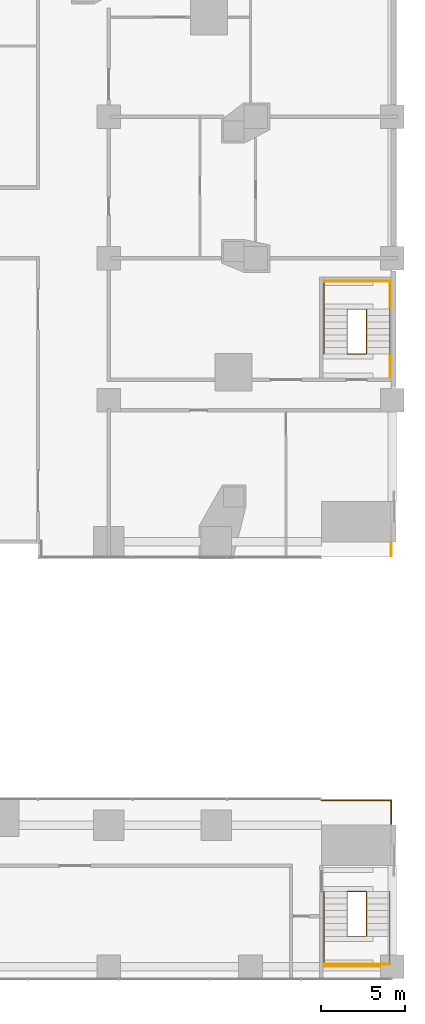
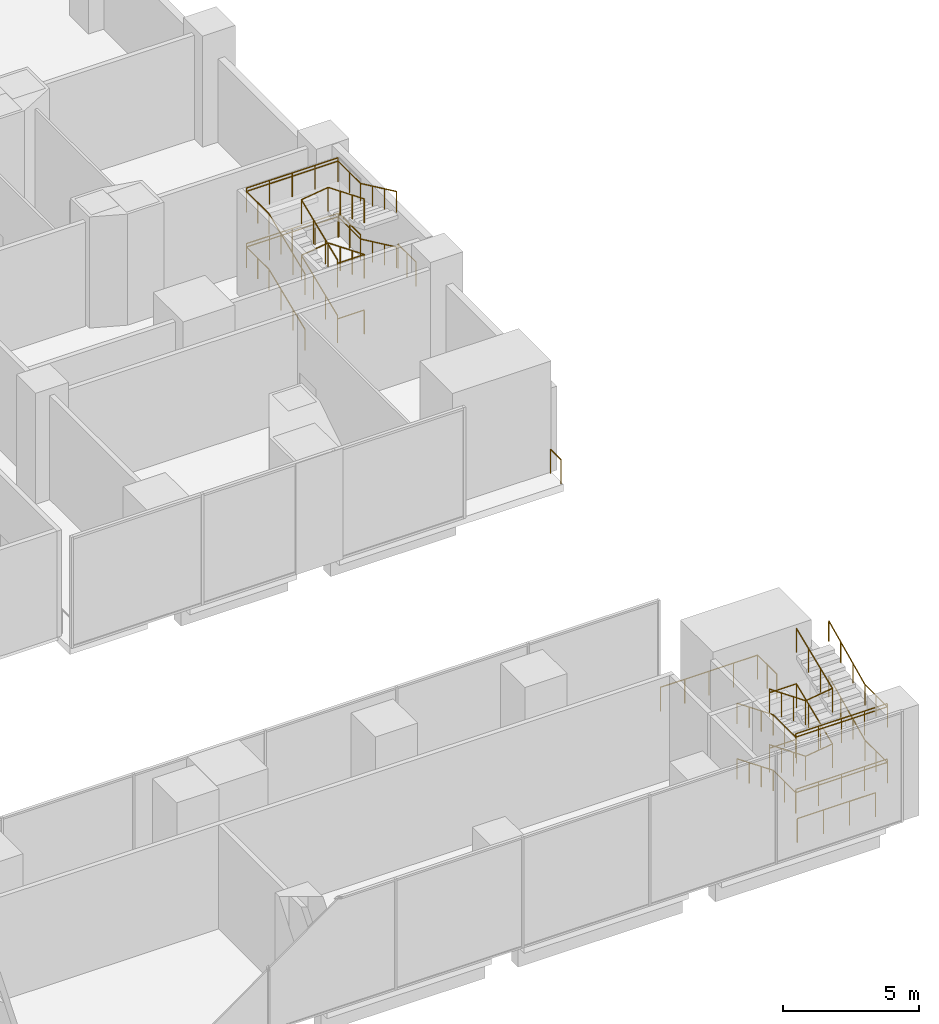
# One storey, part 22 of 24: 17 railings.
"""IFC4 building model written with IfcOpenShell, lengths in metres."""

from ifc_helpers import new_model, si_unit, direction, frame, origin, origin_2d, place, context, subcontext, project, spatial, circle, extrude, material, type_object, element, save


model = new_model("IFC4")

# Units and contexts
model_context = context("Model", 3, precision=1e-05, world=origin(), true_north=direction((0.0, 1.0)))
body_context = subcontext(model_context, "Body", "Model", "MODEL_VIEW")
ifc_project = project(units=[si_unit("LENGTHUNIT", "METRE"), si_unit("AREAUNIT", "SQUARE_METRE"), si_unit("VOLUMEUNIT", "CUBIC_METRE"), si_unit("PLANEANGLEUNIT", "RADIAN"), si_unit("MASSUNIT", "GRAM", prefix="KILO")], contexts=[model_context])

# Site, building, storey
site_placement = place(None, origin())
site = spatial("IfcSite", under=ifc_project, at=site_placement, CompositionType="ELEMENT")
building_placement = place(site_placement, origin())
building = spatial("IfcBuilding", under=site, at=building_placement, Name="Marenta Gate Hotel Tower", CompositionType="ELEMENT")
storey_placement = place(building_placement, frame((0.0, 0.0, 8.0)))
storey = spatial("IfcBuildingStorey", under=building, at=storey_placement, Name="L01", CompositionType="ELEMENT", Elevation=8.0)

# Railings
ifc_material_1 = material(Name="Stainless steel", Category="steel")
railing_type_1 = type_object("IfcRailingType", Name="Core stair handrail 950", PredefinedType="HANDRAIL", material=ifc_material_1)
railing_1_placement = place(storey_placement, frame((33.75, -20.72998046875, 0.15625)))
element("IfcRailing", 1, at=railing_1_placement, inside=storey, type_object=railing_type_1, Name="HR-950 L01-KR-PX2-2", PredefinedType="HANDRAIL", context=body_context, shape_type="SweptSolid", body=[
    extrude(circle(Radius=0.02392578125, at=origin_2d()), frame((0.0, 0.0, 0.92578125), z_axis=(0.0, -0.924862585091, 0.38030145766), x_axis=(1.0, 0.0, 0.0)), (0.0, 0.0, 1.0), 2.8759765625),
    extrude(circle(Radius=0.02392578125, at=origin_2d()), frame((0.0, -2.659912109375, 2.01953125), z_axis=(0.0, -1.0, 0.0), x_axis=(1.0, 0.0, 0.0)), (0.0, 0.0, 1.0), 1.66015625),
    extrude(circle(Radius=0.02392578125, at=origin_2d()), frame((0.0, -4.320068359375, 2.01953125), z_axis=(1.0, 0.0, 0.0), x_axis=(0.0, 1.0, 0.0)), (0.0, 0.0, 1.0), 3.89990234375),
    extrude(circle(Radius=0.02392578125, at=origin_2d()), frame((3.89990234375, -4.320068359375, 2.01953125), z_axis=(0.0, 1.0, 0.0), x_axis=(-1.0, 0.0, 0.0)), (0.0, 0.0, 1.0), 1.66015625),
    extrude(circle(Radius=0.02392578125, at=origin_2d()), frame((3.89990234375, -2.659912109375, 2.01953125), z_axis=(0.0, 0.905044486808, 0.425316913488), x_axis=(-1.0, 0.0, 0.0)), (0.0, 0.0, 1.0), 2.93896484375),
    extrude(circle(Radius=0.02099609375, at=origin_2d()), origin(), (0.0, 0.0, 1.0), 0.90185546875),
    extrude(circle(Radius=0.02099609375, at=origin_2d()), frame((0.0, -0.88671875, 0.364501953125)), (0.0, 0.0, 1.0), 0.90185546875),
    extrude(circle(Radius=0.02099609375, at=origin_2d()), frame((0.0, -1.773193359375, 0.729248046875)), (0.0, 0.0, 1.0), 0.90185546875),
    extrude(circle(Radius=0.02099609375, at=origin_2d()), frame((0.0, -2.659912109375, 1.09375)), (0.0, 0.0, 1.0), 0.90185546875),
    extrude(circle(Radius=0.02099609375, at=origin_2d()), frame((0.0, -3.489990234375, 1.09375)), (0.0, 0.0, 1.0), 0.90185546875),
    extrude(circle(Radius=0.02099609375, at=origin_2d()), frame((0.0, -4.320068359375, 1.09375)), (0.0, 0.0, 1.0), 0.90185546875),
    extrude(circle(Radius=0.02099609375, at=origin_2d()), frame((0.97509765625, -4.320068359375, 1.09375)), (0.0, 0.0, 1.0), 0.90185546875),
    extrude(circle(Radius=0.02099609375, at=origin_2d()), frame((1.949951171875, -4.320068359375, 1.09375)), (0.0, 0.0, 1.0), 0.90185546875),
    extrude(circle(Radius=0.02099609375, at=origin_2d()), frame((2.9248046875, -4.320068359375, 1.09375)), (0.0, 0.0, 1.0), 0.90185546875),
    extrude(circle(Radius=0.02099609375, at=origin_2d()), frame((3.89990234375, -4.320068359375, 1.09375)), (0.0, 0.0, 1.0), 0.90185546875),
    extrude(circle(Radius=0.02099609375, at=origin_2d()), frame((3.89990234375, -3.489990234375, 1.09375)), (0.0, 0.0, 1.0), 0.90185546875),
    extrude(circle(Radius=0.02099609375, at=origin_2d()), frame((3.89990234375, -2.659912109375, 1.09375)), (0.0, 0.0, 1.0), 0.90185546875),
    extrude(circle(Radius=0.02099609375, at=origin_2d()), frame((3.89990234375, -1.773193359375, 1.510498046875)), (0.0, 0.0, 1.0), 0.90185546875),
    extrude(circle(Radius=0.02099609375, at=origin_2d()), frame((3.89990234375, -0.88671875, 1.927001953125)), (0.0, 0.0, 1.0), 0.90185546875),
    extrude(circle(Radius=0.02099609375, at=origin_2d()), frame((3.89990234375, 0.0, 2.34375)), (0.0, 0.0, 1.0), 0.90185546875),
])
railing_2_placement = place(storey_placement, frame((33.75, -20.72998046875, 2.65625)))
element("IfcRailing", 2, at=railing_2_placement, inside=storey, type_object=railing_type_1, Name="HR-950 L01-KR-PX2-5", PredefinedType="HANDRAIL", context=body_context, shape_type="SweptSolid", body=[
    extrude(circle(Radius=0.02392578125, at=origin_2d()), frame((0.0, 0.0, 0.92578125), z_axis=(0.0, -0.924862585091, 0.38030145766), x_axis=(1.0, 0.0, 0.0)), (0.0, 0.0, 1.0), 2.8759765625),
    extrude(circle(Radius=0.02392578125, at=origin_2d()), frame((0.0, -2.659912109375, 2.01953125), z_axis=(0.0, -1.0, 0.0), x_axis=(1.0, 0.0, 0.0)), (0.0, 0.0, 1.0), 1.66015625),
    extrude(circle(Radius=0.02392578125, at=origin_2d()), frame((0.0, -4.320068359375, 2.01953125), z_axis=(1.0, 0.0, 0.0), x_axis=(0.0, 1.0, 0.0)), (0.0, 0.0, 1.0), 3.89990234375),
    extrude(circle(Radius=0.02392578125, at=origin_2d()), frame((3.89990234375, -4.320068359375, 2.01953125), z_axis=(0.0, 1.0, 0.0), x_axis=(-1.0, 0.0, 0.0)), (0.0, 0.0, 1.0), 1.66015625),
    extrude(circle(Radius=0.02392578125, at=origin_2d()), frame((3.89990234375, -2.659912109375, 2.01953125), z_axis=(0.0, 0.905044486808, 0.425316913488), x_axis=(-1.0, 0.0, 0.0)), (0.0, 0.0, 1.0), 2.93896484375),
    extrude(circle(Radius=0.02099609375, at=origin_2d()), origin(), (0.0, 0.0, 1.0), 0.90185546875),
    extrude(circle(Radius=0.02099609375, at=origin_2d()), frame((0.0, -0.88671875, 0.364501953125)), (0.0, 0.0, 1.0), 0.90185546875),
    extrude(circle(Radius=0.02099609375, at=origin_2d()), frame((0.0, -1.773193359375, 0.729248046875)), (0.0, 0.0, 1.0), 0.90185546875),
    extrude(circle(Radius=0.02099609375, at=origin_2d()), frame((0.0, -2.659912109375, 1.09375)), (0.0, 0.0, 1.0), 0.90185546875),
    extrude(circle(Radius=0.02099609375, at=origin_2d()), frame((0.0, -3.489990234375, 1.09375)), (0.0, 0.0, 1.0), 0.90185546875),
    extrude(circle(Radius=0.02099609375, at=origin_2d()), frame((0.0, -4.320068359375, 1.09375)), (0.0, 0.0, 1.0), 0.90185546875),
    extrude(circle(Radius=0.02099609375, at=origin_2d()), frame((0.97509765625, -4.320068359375, 1.09375)), (0.0, 0.0, 1.0), 0.90185546875),
    extrude(circle(Radius=0.02099609375, at=origin_2d()), frame((1.949951171875, -4.320068359375, 1.09375)), (0.0, 0.0, 1.0), 0.90185546875),
    extrude(circle(Radius=0.02099609375, at=origin_2d()), frame((2.9248046875, -4.320068359375, 1.09375)), (0.0, 0.0, 1.0), 0.90185546875),
    extrude(circle(Radius=0.02099609375, at=origin_2d()), frame((3.89990234375, -4.320068359375, 1.09375)), (0.0, 0.0, 1.0), 0.90185546875),
    extrude(circle(Radius=0.02099609375, at=origin_2d()), frame((3.89990234375, -3.489990234375, 1.09375)), (0.0, 0.0, 1.0), 0.90185546875),
    extrude(circle(Radius=0.02099609375, at=origin_2d()), frame((3.89990234375, -2.659912109375, 1.09375)), (0.0, 0.0, 1.0), 0.90185546875),
    extrude(circle(Radius=0.02099609375, at=origin_2d()), frame((3.89990234375, -1.773193359375, 1.510498046875)), (0.0, 0.0, 1.0), 0.90185546875),
    extrude(circle(Radius=0.02099609375, at=origin_2d()), frame((3.89990234375, -0.88671875, 1.927001953125)), (0.0, 0.0, 1.0), 0.90185546875),
    extrude(circle(Radius=0.02099609375, at=origin_2d()), frame((3.89990234375, 0.0, 2.34375)), (0.0, 0.0, 1.0), 0.90185546875),
])
railing_3_placement = place(storey_placement, frame((33.75, 11.1298828125, 0.15625)))
element("IfcRailing", 3, at=railing_3_placement, inside=storey, type_object=railing_type_1, Name="HR-950 L01-KR-PX7-2", PredefinedType="HANDRAIL", context=body_context, shape_type="SweptSolid", body=[
    extrude(circle(Radius=0.02392578125, at=origin_2d()), frame((0.0, 0.0, 0.92578125), z_axis=(0.0, 0.924874861033, 0.380271602187), x_axis=(-1.0, 0.0, 0.0)), (0.0, 0.0, 1.0), 2.876220703125),
    extrude(circle(Radius=0.02392578125, at=origin_2d()), frame((0.0, 2.66015625, 2.01953125), z_axis=(0.0, 1.0, 0.0), x_axis=(-1.0, 0.0, 0.0)), (0.0, 0.0, 1.0), 1.659912109375),
    extrude(circle(Radius=0.02392578125, at=origin_2d()), frame((0.0, 4.320068359375, 2.01953125), z_axis=(1.0, 0.0, 0.0), x_axis=(0.0, 1.0, 0.0)), (0.0, 0.0, 1.0), 3.89990234375),
    extrude(circle(Radius=0.02392578125, at=origin_2d()), frame((3.89990234375, 4.320068359375, 2.01953125), z_axis=(0.0, -1.0, 0.0), x_axis=(1.0, 0.0, 0.0)), (0.0, 0.0, 1.0), 1.659912109375),
    extrude(circle(Radius=0.02392578125, at=origin_2d()), frame((3.89990234375, 2.66015625, 2.01953125), z_axis=(0.0, -0.905059511965, 0.425284939543), x_axis=(1.0, 0.0, 0.0)), (0.0, 0.0, 1.0), 2.939208984375),
    extrude(circle(Radius=0.02099609375, at=origin_2d()), origin(), (0.0, 0.0, 1.0), 0.90185546875),
    extrude(circle(Radius=0.02099609375, at=origin_2d()), frame((0.0, 0.88671875, 0.364501953125)), (0.0, 0.0, 1.0), 0.90185546875),
    extrude(circle(Radius=0.02099609375, at=origin_2d()), frame((0.0, 1.7734375, 0.729248046875)), (0.0, 0.0, 1.0), 0.90185546875),
    extrude(circle(Radius=0.02099609375, at=origin_2d()), frame((0.0, 2.66015625, 1.09375)), (0.0, 0.0, 1.0), 0.90185546875),
    extrude(circle(Radius=0.02099609375, at=origin_2d()), frame((0.0, 3.490234375, 1.09375)), (0.0, 0.0, 1.0), 0.90185546875),
    extrude(circle(Radius=0.02099609375, at=origin_2d()), frame((0.0, 4.320068359375, 1.09375)), (0.0, 0.0, 1.0), 0.90185546875),
    extrude(circle(Radius=0.02099609375, at=origin_2d()), frame((0.97509765625, 4.320068359375, 1.09375)), (0.0, 0.0, 1.0), 0.90185546875),
    extrude(circle(Radius=0.02099609375, at=origin_2d()), frame((1.949951171875, 4.320068359375, 1.09375)), (0.0, 0.0, 1.0), 0.90185546875),
    extrude(circle(Radius=0.02099609375, at=origin_2d()), frame((2.9248046875, 4.320068359375, 1.09375)), (0.0, 0.0, 1.0), 0.90185546875),
    extrude(circle(Radius=0.02099609375, at=origin_2d()), frame((3.89990234375, 4.320068359375, 1.09375)), (0.0, 0.0, 1.0), 0.90185546875),
    extrude(circle(Radius=0.02099609375, at=origin_2d()), frame((3.89990234375, 3.490234375, 1.09375)), (0.0, 0.0, 1.0), 0.90185546875),
    extrude(circle(Radius=0.02099609375, at=origin_2d()), frame((3.89990234375, 2.66015625, 1.09375)), (0.0, 0.0, 1.0), 0.90185546875),
    extrude(circle(Radius=0.02099609375, at=origin_2d()), frame((3.89990234375, 1.7734375, 1.510498046875)), (0.0, 0.0, 1.0), 0.90185546875),
    extrude(circle(Radius=0.02099609375, at=origin_2d()), frame((3.89990234375, 0.88671875, 1.927001953125)), (0.0, 0.0, 1.0), 0.90185546875),
    extrude(circle(Radius=0.02099609375, at=origin_2d()), frame((3.89990234375, 0.0, 2.34375)), (0.0, 0.0, 1.0), 0.90185546875),
])
railing_4_placement = place(storey_placement, frame((33.75, 11.1298828125, 2.65625)))
element("IfcRailing", 4, at=railing_4_placement, inside=storey, type_object=railing_type_1, Name="HR-950 L01-KR-PX7-5", PredefinedType="HANDRAIL", context=body_context, shape_type="SweptSolid", body=[
    extrude(circle(Radius=0.02392578125, at=origin_2d()), frame((0.0, 0.0, 0.92578125), z_axis=(0.0, 0.924874861033, 0.380271602187), x_axis=(-1.0, 0.0, 0.0)), (0.0, 0.0, 1.0), 2.876220703125),
    extrude(circle(Radius=0.02392578125, at=origin_2d()), frame((0.0, 2.66015625, 2.01953125), z_axis=(0.0, 1.0, 0.0), x_axis=(-1.0, 0.0, 0.0)), (0.0, 0.0, 1.0), 1.659912109375),
    extrude(circle(Radius=0.02392578125, at=origin_2d()), frame((0.0, 4.320068359375, 2.01953125), z_axis=(1.0, 0.0, 0.0), x_axis=(0.0, 1.0, 0.0)), (0.0, 0.0, 1.0), 3.89990234375),
    extrude(circle(Radius=0.02392578125, at=origin_2d()), frame((3.89990234375, 4.320068359375, 2.01953125), z_axis=(0.0, -1.0, 0.0), x_axis=(1.0, 0.0, 0.0)), (0.0, 0.0, 1.0), 1.659912109375),
    extrude(circle(Radius=0.02392578125, at=origin_2d()), frame((3.89990234375, 2.66015625, 2.01953125), z_axis=(0.0, -0.905059511965, 0.425284939543), x_axis=(1.0, 0.0, 0.0)), (0.0, 0.0, 1.0), 2.939208984375),
    extrude(circle(Radius=0.02099609375, at=origin_2d()), origin(), (0.0, 0.0, 1.0), 0.90185546875),
    extrude(circle(Radius=0.02099609375, at=origin_2d()), frame((0.0, 0.88671875, 0.364501953125)), (0.0, 0.0, 1.0), 0.90185546875),
    extrude(circle(Radius=0.02099609375, at=origin_2d()), frame((0.0, 1.7734375, 0.729248046875)), (0.0, 0.0, 1.0), 0.90185546875),
    extrude(circle(Radius=0.02099609375, at=origin_2d()), frame((0.0, 2.66015625, 1.09375)), (0.0, 0.0, 1.0), 0.90185546875),
    extrude(circle(Radius=0.02099609375, at=origin_2d()), frame((0.0, 3.490234375, 1.09375)), (0.0, 0.0, 1.0), 0.90185546875),
    extrude(circle(Radius=0.02099609375, at=origin_2d()), frame((0.0, 4.320068359375, 1.09375)), (0.0, 0.0, 1.0), 0.90185546875),
    extrude(circle(Radius=0.02099609375, at=origin_2d()), frame((0.97509765625, 4.320068359375, 1.09375)), (0.0, 0.0, 1.0), 0.90185546875),
    extrude(circle(Radius=0.02099609375, at=origin_2d()), frame((1.949951171875, 4.320068359375, 1.09375)), (0.0, 0.0, 1.0), 0.90185546875),
    extrude(circle(Radius=0.02099609375, at=origin_2d()), frame((2.9248046875, 4.320068359375, 1.09375)), (0.0, 0.0, 1.0), 0.90185546875),
    extrude(circle(Radius=0.02099609375, at=origin_2d()), frame((3.89990234375, 4.320068359375, 1.09375)), (0.0, 0.0, 1.0), 0.90185546875),
    extrude(circle(Radius=0.02099609375, at=origin_2d()), frame((3.89990234375, 3.490234375, 1.09375)), (0.0, 0.0, 1.0), 0.90185546875),
    extrude(circle(Radius=0.02099609375, at=origin_2d()), frame((3.89990234375, 2.66015625, 1.09375)), (0.0, 0.0, 1.0), 0.90185546875),
    extrude(circle(Radius=0.02099609375, at=origin_2d()), frame((3.89990234375, 1.7734375, 1.510498046875)), (0.0, 0.0, 1.0), 0.90185546875),
    extrude(circle(Radius=0.02099609375, at=origin_2d()), frame((3.89990234375, 0.88671875, 1.927001953125)), (0.0, 0.0, 1.0), 0.90185546875),
    extrude(circle(Radius=0.02099609375, at=origin_2d()), frame((3.89990234375, 0.0, 2.34375)), (0.0, 0.0, 1.0), 0.90185546875),
])
ifc_material_2 = material(Name="Stainless steel", Category="steel")
railing_type_2 = type_object("IfcRailingType", Name="Core stair well guard 1100", PredefinedType="GUARDRAIL", material=ifc_material_2)
railing_5_placement = place(storey_placement, frame((33.75, -25.050048828125, 1.25)))
element("IfcRailing", 5, at=railing_5_placement, inside=storey, type_object=railing_type_2, Name="GR-1100 L01-KR-PX2-1", PredefinedType="GUARDRAIL", context=body_context, shape_type="SweptSolid", body=[
    extrude(circle(Radius=0.02392578125, at=origin_2d()), frame((0.0, 0.0, 1.076171875), z_axis=(1.0, 0.0, 0.0), x_axis=(0.0, 1.0, 0.0)), (0.0, 0.0, 1.0), 3.89990234375),
    extrude(circle(Radius=0.02099609375, at=origin_2d()), origin(), (0.0, 0.0, 1.0), 1.052001953125),
    extrude(circle(Radius=0.02099609375, at=origin_2d()), frame((0.97509765625, 0.0, 0.0)), (0.0, 0.0, 1.0), 1.052001953125),
    extrude(circle(Radius=0.02099609375, at=origin_2d()), frame((1.949951171875, 0.0, 0.0)), (0.0, 0.0, 1.0), 1.052001953125),
    extrude(circle(Radius=0.02099609375, at=origin_2d()), frame((2.9248046875, 0.0, 0.0)), (0.0, 0.0, 1.0), 1.052001953125),
    extrude(circle(Radius=0.02099609375, at=origin_2d()), frame((3.89990234375, 0.0, 0.0)), (0.0, 0.0, 1.0), 1.052001953125),
])
railing_6_placement = place(storey_placement, frame((36.27001953125, -20.72998046875, 0.0)))
element("IfcRailing", 6, at=railing_6_placement, inside=storey, type_object=railing_type_2, Name="GR-1100 L01-KR-PX2-3", PredefinedType="GUARDRAIL", context=body_context, shape_type="SweptSolid", body=[
    extrude(circle(Radius=0.02392578125, at=origin_2d()), frame((0.0, 0.0, 1.076171875), z_axis=(-1.0, 0.0, 0.0), x_axis=(0.0, -1.0, 0.0)), (0.0, 0.0, 1.0), 1.14013671875),
    extrude(circle(Radius=0.02392578125, at=origin_2d()), frame((-1.14013671875, 0.0, 1.076171875), z_axis=(0.0, 0.0, 1.0), x_axis=(1.0, 0.0, 0.0)), (0.0, 0.0, 1.0), 0.15625),
    extrude(circle(Radius=0.02392578125, at=origin_2d()), frame((-1.14013671875, 0.0, 1.232421875), z_axis=(0.0, -0.924862585091, 0.38030145766), x_axis=(1.0, 0.0, 0.0)), (0.0, 0.0, 1.0), 2.8759765625),
    extrude(circle(Radius=0.02392578125, at=origin_2d()), frame((-1.14013671875, -2.659912109375, 2.326171875), z_axis=(0.990739578357, 0.0, 0.135775873693), x_axis=(0.0, 1.0, 0.0)), (0.0, 0.0, 1.0), 1.15087890625),
    extrude(circle(Radius=0.02392578125, at=origin_2d()), frame((0.0, -2.659912109375, 2.482421875), z_axis=(0.0, 0.924862585091, 0.38030145766), x_axis=(-1.0, 0.0, 0.0)), (0.0, 0.0, 1.0), 2.8759765625),
    extrude(circle(Radius=0.02099609375, at=origin_2d()), origin(), (0.0, 0.0, 1.0), 1.052001953125),
    extrude(circle(Radius=0.02099609375, at=origin_2d()), frame((-1.14013671875, 0.0, 0.0)), (0.0, 0.0, 1.0), 1.052001953125),
    extrude(circle(Radius=0.02099609375, at=origin_2d()), frame((-1.14013671875, 0.0, 0.15625)), (0.0, 0.0, 1.0), 1.052001953125),
    extrude(circle(Radius=0.02099609375, at=origin_2d()), frame((-1.14013671875, -0.88671875, 0.520751953125)), (0.0, 0.0, 1.0), 1.052001953125),
    extrude(circle(Radius=0.02099609375, at=origin_2d()), frame((-1.14013671875, -1.773193359375, 0.885498046875)), (0.0, 0.0, 1.0), 1.052001953125),
    extrude(circle(Radius=0.02099609375, at=origin_2d()), frame((-1.14013671875, -2.659912109375, 1.25)), (0.0, 0.0, 1.0), 1.052001953125),
    extrude(circle(Radius=0.02099609375, at=origin_2d()), frame((0.0, -2.659912109375, 1.40625)), (0.0, 0.0, 1.0), 1.052001953125),
    extrude(circle(Radius=0.02099609375, at=origin_2d()), frame((0.0, -1.773193359375, 1.770751953125)), (0.0, 0.0, 1.0), 1.052001953125),
    extrude(circle(Radius=0.02099609375, at=origin_2d()), frame((0.0, -0.88671875, 2.135498046875)), (0.0, 0.0, 1.0), 1.052001953125),
    extrude(circle(Radius=0.02099609375, at=origin_2d()), frame((0.0, 0.0, 2.5)), (0.0, 0.0, 1.0), 1.052001953125),
])
railing_7_placement = place(storey_placement, frame((33.75, -25.050048828125, 3.75)))
element("IfcRailing", 7, at=railing_7_placement, inside=storey, type_object=railing_type_2, Name="GR-1100 L01-KR-PX2-4", PredefinedType="GUARDRAIL", context=body_context, shape_type="SweptSolid", body=[
    extrude(circle(Radius=0.02392578125, at=origin_2d()), frame((0.0, 0.0, 1.076171875), z_axis=(1.0, 0.0, 0.0), x_axis=(0.0, 1.0, 0.0)), (0.0, 0.0, 1.0), 3.89990234375),
    extrude(circle(Radius=0.02099609375, at=origin_2d()), origin(), (0.0, 0.0, 1.0), 1.052001953125),
    extrude(circle(Radius=0.02099609375, at=origin_2d()), frame((0.97509765625, 0.0, 0.0)), (0.0, 0.0, 1.0), 1.052001953125),
    extrude(circle(Radius=0.02099609375, at=origin_2d()), frame((1.949951171875, 0.0, 0.0)), (0.0, 0.0, 1.0), 1.052001953125),
    extrude(circle(Radius=0.02099609375, at=origin_2d()), frame((2.9248046875, 0.0, 0.0)), (0.0, 0.0, 1.0), 1.052001953125),
    extrude(circle(Radius=0.02099609375, at=origin_2d()), frame((3.89990234375, 0.0, 0.0)), (0.0, 0.0, 1.0), 1.052001953125),
])
railing_8_placement = place(storey_placement, frame((36.27001953125, -20.72998046875, 2.5)))
element("IfcRailing", 8, at=railing_8_placement, inside=storey, type_object=railing_type_2, Name="GR-1100 L01-KR-PX2-6", PredefinedType="GUARDRAIL", context=body_context, shape_type="SweptSolid", body=[
    extrude(circle(Radius=0.02392578125, at=origin_2d()), frame((0.0, 0.0, 1.076171875), z_axis=(-1.0, 0.0, 0.0), x_axis=(0.0, -1.0, 0.0)), (0.0, 0.0, 1.0), 1.14013671875),
    extrude(circle(Radius=0.02392578125, at=origin_2d()), frame((-1.14013671875, 0.0, 1.076171875), z_axis=(0.0, 0.0, 1.0), x_axis=(1.0, 0.0, 0.0)), (0.0, 0.0, 1.0), 0.15625),
    extrude(circle(Radius=0.02392578125, at=origin_2d()), frame((-1.14013671875, 0.0, 1.232421875), z_axis=(0.0, -0.924862585091, 0.38030145766), x_axis=(1.0, 0.0, 0.0)), (0.0, 0.0, 1.0), 2.8759765625),
    extrude(circle(Radius=0.02392578125, at=origin_2d()), frame((-1.14013671875, -2.659912109375, 2.326171875), z_axis=(0.990739578357, 0.0, 0.135775873693), x_axis=(0.0, 1.0, 0.0)), (0.0, 0.0, 1.0), 1.15087890625),
    extrude(circle(Radius=0.02392578125, at=origin_2d()), frame((0.0, -2.659912109375, 2.482421875), z_axis=(0.0, 0.924862585091, 0.38030145766), x_axis=(-1.0, 0.0, 0.0)), (0.0, 0.0, 1.0), 2.8759765625),
    extrude(circle(Radius=0.02099609375, at=origin_2d()), origin(), (0.0, 0.0, 1.0), 1.052001953125),
    extrude(circle(Radius=0.02099609375, at=origin_2d()), frame((-1.14013671875, 0.0, 0.0)), (0.0, 0.0, 1.0), 1.052001953125),
    extrude(circle(Radius=0.02099609375, at=origin_2d()), frame((-1.14013671875, 0.0, 0.15625)), (0.0, 0.0, 1.0), 1.052001953125),
    extrude(circle(Radius=0.02099609375, at=origin_2d()), frame((-1.14013671875, -0.88671875, 0.520751953125)), (0.0, 0.0, 1.0), 1.052001953125),
    extrude(circle(Radius=0.02099609375, at=origin_2d()), frame((-1.14013671875, -1.773193359375, 0.885498046875)), (0.0, 0.0, 1.0), 1.052001953125),
    extrude(circle(Radius=0.02099609375, at=origin_2d()), frame((-1.14013671875, -2.659912109375, 1.25)), (0.0, 0.0, 1.0), 1.052001953125),
    extrude(circle(Radius=0.02099609375, at=origin_2d()), frame((0.0, -2.659912109375, 1.40625)), (0.0, 0.0, 1.0), 1.052001953125),
    extrude(circle(Radius=0.02099609375, at=origin_2d()), frame((0.0, -1.773193359375, 1.770751953125)), (0.0, 0.0, 1.0), 1.052001953125),
    extrude(circle(Radius=0.02099609375, at=origin_2d()), frame((0.0, -0.88671875, 2.135498046875)), (0.0, 0.0, 1.0), 1.052001953125),
    extrude(circle(Radius=0.02099609375, at=origin_2d()), frame((0.0, 0.0, 2.5)), (0.0, 0.0, 1.0), 1.052001953125),
])
railing_9_placement = place(storey_placement, frame((33.75, 15.449951171875, 1.25)))
element("IfcRailing", 9, at=railing_9_placement, inside=storey, type_object=railing_type_2, Name="GR-1100 L01-KR-PX7-1", PredefinedType="GUARDRAIL", context=body_context, shape_type="SweptSolid", body=[
    extrude(circle(Radius=0.02392578125, at=origin_2d()), frame((0.0, 0.0, 1.076171875), z_axis=(1.0, 0.0, 0.0), x_axis=(0.0, 1.0, 0.0)), (0.0, 0.0, 1.0), 3.89990234375),
    extrude(circle(Radius=0.02099609375, at=origin_2d()), origin(), (0.0, 0.0, 1.0), 1.052001953125),
    extrude(circle(Radius=0.02099609375, at=origin_2d()), frame((0.97509765625, 0.0, 0.0)), (0.0, 0.0, 1.0), 1.052001953125),
    extrude(circle(Radius=0.02099609375, at=origin_2d()), frame((1.949951171875, 0.0, 0.0)), (0.0, 0.0, 1.0), 1.052001953125),
    extrude(circle(Radius=0.02099609375, at=origin_2d()), frame((2.9248046875, 0.0, 0.0)), (0.0, 0.0, 1.0), 1.052001953125),
    extrude(circle(Radius=0.02099609375, at=origin_2d()), frame((3.89990234375, 0.0, 0.0)), (0.0, 0.0, 1.0), 1.052001953125),
])
railing_10_placement = place(storey_placement, frame((36.27001953125, 11.1298828125, 0.0)))
element("IfcRailing", 10, at=railing_10_placement, inside=storey, type_object=railing_type_2, Name="GR-1100 L01-KR-PX7-3", PredefinedType="GUARDRAIL", context=body_context, shape_type="SweptSolid", body=[
    extrude(circle(Radius=0.02392578125, at=origin_2d()), frame((0.0, 0.0, 1.076171875), z_axis=(-1.0, 0.0, 0.0), x_axis=(0.0, -1.0, 0.0)), (0.0, 0.0, 1.0), 1.14013671875),
    extrude(circle(Radius=0.02392578125, at=origin_2d()), frame((-1.14013671875, 0.0, 1.076171875), z_axis=(0.0, 0.0, 1.0), x_axis=(1.0, 0.0, 0.0)), (0.0, 0.0, 1.0), 0.15625),
    extrude(circle(Radius=0.02392578125, at=origin_2d()), frame((-1.14013671875, 0.0, 1.232421875), z_axis=(0.0, 0.924874861033, 0.380271602187), x_axis=(-1.0, 0.0, 0.0)), (0.0, 0.0, 1.0), 2.876220703125),
    extrude(circle(Radius=0.02392578125, at=origin_2d()), frame((-1.14013671875, 2.66015625, 2.326171875), z_axis=(0.990739578357, 0.0, 0.135775873693), x_axis=(0.0, 1.0, 0.0)), (0.0, 0.0, 1.0), 1.15087890625),
    extrude(circle(Radius=0.02392578125, at=origin_2d()), frame((0.0, 2.66015625, 2.482421875), z_axis=(0.0, -0.924874861033, 0.380271602187), x_axis=(1.0, 0.0, 0.0)), (0.0, 0.0, 1.0), 2.876220703125),
    extrude(circle(Radius=0.02099609375, at=origin_2d()), origin(), (0.0, 0.0, 1.0), 1.052001953125),
    extrude(circle(Radius=0.02099609375, at=origin_2d()), frame((-1.14013671875, 0.0, 0.0)), (0.0, 0.0, 1.0), 1.052001953125),
    extrude(circle(Radius=0.02099609375, at=origin_2d()), frame((-1.14013671875, 0.0, 0.15625)), (0.0, 0.0, 1.0), 1.052001953125),
    extrude(circle(Radius=0.02099609375, at=origin_2d()), frame((-1.14013671875, 0.88671875, 0.520751953125)), (0.0, 0.0, 1.0), 1.052001953125),
    extrude(circle(Radius=0.02099609375, at=origin_2d()), frame((-1.14013671875, 1.7734375, 0.885498046875)), (0.0, 0.0, 1.0), 1.052001953125),
    extrude(circle(Radius=0.02099609375, at=origin_2d()), frame((-1.14013671875, 2.66015625, 1.25)), (0.0, 0.0, 1.0), 1.052001953125),
    extrude(circle(Radius=0.02099609375, at=origin_2d()), frame((0.0, 2.66015625, 1.40625)), (0.0, 0.0, 1.0), 1.052001953125),
    extrude(circle(Radius=0.02099609375, at=origin_2d()), frame((0.0, 1.7734375, 1.770751953125)), (0.0, 0.0, 1.0), 1.052001953125),
    extrude(circle(Radius=0.02099609375, at=origin_2d()), frame((0.0, 0.88671875, 2.135498046875)), (0.0, 0.0, 1.0), 1.052001953125),
    extrude(circle(Radius=0.02099609375, at=origin_2d()), frame((0.0, 0.0, 2.5)), (0.0, 0.0, 1.0), 1.052001953125),
])
railing_11_placement = place(storey_placement, frame((33.75, 15.449951171875, 3.75)))
element("IfcRailing", 11, at=railing_11_placement, inside=storey, type_object=railing_type_2, Name="GR-1100 L01-KR-PX7-4", PredefinedType="GUARDRAIL", context=body_context, shape_type="SweptSolid", body=[
    extrude(circle(Radius=0.02392578125, at=origin_2d()), frame((0.0, 0.0, 1.076171875), z_axis=(1.0, 0.0, 0.0), x_axis=(0.0, 1.0, 0.0)), (0.0, 0.0, 1.0), 3.89990234375),
    extrude(circle(Radius=0.02099609375, at=origin_2d()), origin(), (0.0, 0.0, 1.0), 1.052001953125),
    extrude(circle(Radius=0.02099609375, at=origin_2d()), frame((0.97509765625, 0.0, 0.0)), (0.0, 0.0, 1.0), 1.052001953125),
    extrude(circle(Radius=0.02099609375, at=origin_2d()), frame((1.949951171875, 0.0, 0.0)), (0.0, 0.0, 1.0), 1.052001953125),
    extrude(circle(Radius=0.02099609375, at=origin_2d()), frame((2.9248046875, 0.0, 0.0)), (0.0, 0.0, 1.0), 1.052001953125),
    extrude(circle(Radius=0.02099609375, at=origin_2d()), frame((3.89990234375, 0.0, 0.0)), (0.0, 0.0, 1.0), 1.052001953125),
])
railing_12_placement = place(storey_placement, frame((36.27001953125, 11.1298828125, 2.5)))
element("IfcRailing", 12, at=railing_12_placement, inside=storey, type_object=railing_type_2, Name="GR-1100 L01-KR-PX7-6", PredefinedType="GUARDRAIL", context=body_context, shape_type="SweptSolid", body=[
    extrude(circle(Radius=0.02392578125, at=origin_2d()), frame((0.0, 0.0, 1.076171875), z_axis=(-1.0, 0.0, 0.0), x_axis=(0.0, -1.0, 0.0)), (0.0, 0.0, 1.0), 1.14013671875),
    extrude(circle(Radius=0.02392578125, at=origin_2d()), frame((-1.14013671875, 0.0, 1.076171875), z_axis=(0.0, 0.0, 1.0), x_axis=(1.0, 0.0, 0.0)), (0.0, 0.0, 1.0), 0.15625),
    extrude(circle(Radius=0.02392578125, at=origin_2d()), frame((-1.14013671875, 0.0, 1.232421875), z_axis=(0.0, 0.924874861033, 0.380271602187), x_axis=(-1.0, 0.0, 0.0)), (0.0, 0.0, 1.0), 2.876220703125),
    extrude(circle(Radius=0.02392578125, at=origin_2d()), frame((-1.14013671875, 2.66015625, 2.326171875), z_axis=(0.990739578357, 0.0, 0.135775873693), x_axis=(0.0, 1.0, 0.0)), (0.0, 0.0, 1.0), 1.15087890625),
    extrude(circle(Radius=0.02392578125, at=origin_2d()), frame((0.0, 2.66015625, 2.482421875), z_axis=(0.0, -0.924874861033, 0.380271602187), x_axis=(1.0, 0.0, 0.0)), (0.0, 0.0, 1.0), 2.876220703125),
    extrude(circle(Radius=0.02099609375, at=origin_2d()), origin(), (0.0, 0.0, 1.0), 1.052001953125),
    extrude(circle(Radius=0.02099609375, at=origin_2d()), frame((-1.14013671875, 0.0, 0.0)), (0.0, 0.0, 1.0), 1.052001953125),
    extrude(circle(Radius=0.02099609375, at=origin_2d()), frame((-1.14013671875, 0.0, 0.15625)), (0.0, 0.0, 1.0), 1.052001953125),
    extrude(circle(Radius=0.02099609375, at=origin_2d()), frame((-1.14013671875, 0.88671875, 0.520751953125)), (0.0, 0.0, 1.0), 1.052001953125),
    extrude(circle(Radius=0.02099609375, at=origin_2d()), frame((-1.14013671875, 1.7734375, 0.885498046875)), (0.0, 0.0, 1.0), 1.052001953125),
    extrude(circle(Radius=0.02099609375, at=origin_2d()), frame((-1.14013671875, 2.66015625, 1.25)), (0.0, 0.0, 1.0), 1.052001953125),
    extrude(circle(Radius=0.02099609375, at=origin_2d()), frame((0.0, 2.66015625, 1.40625)), (0.0, 0.0, 1.0), 1.052001953125),
    extrude(circle(Radius=0.02099609375, at=origin_2d()), frame((0.0, 1.7734375, 1.770751953125)), (0.0, 0.0, 1.0), 1.052001953125),
    extrude(circle(Radius=0.02099609375, at=origin_2d()), frame((0.0, 0.88671875, 2.135498046875)), (0.0, 0.0, 1.0), 1.052001953125),
    extrude(circle(Radius=0.02099609375, at=origin_2d()), frame((0.0, 0.0, 2.5)), (0.0, 0.0, 1.0), 1.052001953125),
])
railing_13_placement = place(storey_placement, frame((37.679931640625, 13.840087890625, 1.25)))
element("IfcRailing", 13, at=railing_13_placement, inside=storey, type_object=railing_type_2, Name="GR-1100 L01-KR-PX7-7", PredefinedType="GUARDRAIL", context=body_context, shape_type="SweptSolid", body=[
    extrude(circle(Radius=0.02392578125, at=origin_2d()), frame((0.0, 0.0, 1.076171875), z_axis=(0.0, 1.0, 0.0), x_axis=(-1.0, 0.0, 0.0)), (0.0, 0.0, 1.0), 1.60986328125),
    extrude(circle(Radius=0.02099609375, at=origin_2d()), origin(), (0.0, 0.0, 1.0), 1.052001953125),
    extrude(circle(Radius=0.02099609375, at=origin_2d()), frame((0.0, 0.804931640625, 0.0)), (0.0, 0.0, 1.0), 1.052001953125),
    extrude(circle(Radius=0.02099609375, at=origin_2d()), frame((0.0, 1.60986328125, 0.0)), (0.0, 0.0, 1.0), 1.052001953125),
])
railing_14_placement = place(storey_placement, frame((37.679931640625, 9.75, 2.5)))
element("IfcRailing", 14, at=railing_14_placement, inside=storey, type_object=railing_type_2, Name="GR-1100 L01-KR-PX7-8", PredefinedType="GUARDRAIL", context=body_context, shape_type="SweptSolid", body=[
    extrude(circle(Radius=0.02392578125, at=origin_2d()), frame((0.0, 0.0, 1.076171875), z_axis=(0.0, 1.0, 0.0), x_axis=(-1.0, 0.0, 0.0)), (0.0, 0.0, 1.0), 1.330078125),
    extrude(circle(Radius=0.02099609375, at=origin_2d()), origin(), (0.0, 0.0, 1.0), 1.052001953125),
    extrude(circle(Radius=0.02099609375, at=origin_2d()), frame((0.0, 0.6650390625, 0.0)), (0.0, 0.0, 1.0), 1.052001953125),
    extrude(circle(Radius=0.02099609375, at=origin_2d()), frame((0.0, 1.330078125, 0.0)), (0.0, 0.0, 1.0), 1.052001953125),
])
ifc_material_3 = material(Name="Stainless steel", Category="steel")
railing_type_3 = type_object("IfcRailingType", Name="Guard 1100 stainless balustrade", PredefinedType="GUARDRAIL", material=ifc_material_3)
railing_15_placement = place(storey_placement, frame((33.60009765625, -15.330078125, 0.0)))
element("IfcRailing", 15, at=railing_15_placement, inside=storey, type_object=railing_type_3, Name="Guard", PredefinedType="GUARDRAIL", context=body_context, shape_type="SweptSolid", body=[
    extrude(circle(Radius=0.02392578125, at=origin_2d()), frame((0.0, 0.0, 1.076171875), z_axis=(1.0, 0.0, 0.0), x_axis=(0.0, 1.0, 0.0)), (0.0, 0.0, 1.0), 4.139892578125),
    extrude(circle(Radius=0.02392578125, at=origin_2d()), frame((4.139892578125, 0.0, 1.076171875), z_axis=(0.0, -1.0, 0.0), x_axis=(1.0, 0.0, 0.0)), (0.0, 0.0, 1.0), 1.409912109375),
    extrude(circle(Radius=0.02099609375, at=origin_2d()), origin(), (0.0, 0.0, 1.0), 1.052001953125),
    extrude(circle(Radius=0.02099609375, at=origin_2d()), frame((1.034912109375, 0.0, 0.0)), (0.0, 0.0, 1.0), 1.052001953125),
    extrude(circle(Radius=0.02099609375, at=origin_2d()), frame((2.06982421875, 0.0, 0.0)), (0.0, 0.0, 1.0), 1.052001953125),
    extrude(circle(Radius=0.02099609375, at=origin_2d()), frame((3.10498046875, 0.0, 0.0)), (0.0, 0.0, 1.0), 1.052001953125),
    extrude(circle(Radius=0.02099609375, at=origin_2d()), frame((4.139892578125, 0.0, 0.0)), (0.0, 0.0, 1.0), 1.052001953125),
    extrude(circle(Radius=0.02099609375, at=origin_2d()), frame((4.139892578125, -0.705078125, 0.0)), (0.0, 0.0, 1.0), 1.052001953125),
    extrude(circle(Radius=0.02099609375, at=origin_2d()), frame((4.139892578125, -1.409912109375, 0.0)), (0.0, 0.0, 1.0), 1.052001953125),
])
railing_16_placement = place(storey_placement, frame((37.739990234375, -0.840087890625, 0.0)))
element("IfcRailing", 16, at=railing_16_placement, inside=storey, type_object=railing_type_3, Name="Guard", PredefinedType="GUARDRAIL", context=body_context, shape_type="SweptSolid", body=[
    extrude(circle(Radius=0.02392578125, at=origin_2d()), frame((0.0, 0.0, 1.076171875), z_axis=(0.0, 1.0, 0.0), x_axis=(-1.0, 0.0, 0.0)), (0.0, 0.0, 1.0), 0.780029296875),
    extrude(circle(Radius=0.02099609375, at=origin_2d()), origin(), (0.0, 0.0, 1.0), 1.052001953125),
    extrude(circle(Radius=0.02099609375, at=origin_2d()), frame((0.0, 0.780029296875, 0.0)), (0.0, 0.0, 1.0), 1.052001953125),
])
ifc_material_4 = material(Name="Stainless steel", Category="steel")
railing_type_4 = type_object("IfcRailingType", Name="Slab edge guard 1100", PredefinedType="GUARDRAIL", material=ifc_material_4)
railing_17_placement = place(storey_placement, frame((33.75, -25.159912109375, 0.0)))
element("IfcRailing", 17, at=railing_17_placement, inside=storey, type_object=railing_type_4, Name="GR-1100E L01-PGS-PX2-2", PredefinedType="GUARDRAIL", context=body_context, shape_type="SweptSolid", body=[
    extrude(circle(Radius=0.02392578125, at=origin_2d()), frame((0.0, 0.0, 1.076171875), z_axis=(1.0, 0.0, 0.0), x_axis=(0.0, 1.0, 0.0)), (0.0, 0.0, 1.0), 3.330078125),
    extrude(circle(Radius=0.02099609375, at=origin_2d()), origin(), (0.0, 0.0, 1.0), 1.052001953125),
    extrude(circle(Radius=0.02099609375, at=origin_2d()), frame((1.110107421875, 0.0, 0.0)), (0.0, 0.0, 1.0), 1.052001953125),
    extrude(circle(Radius=0.02099609375, at=origin_2d()), frame((2.219970703125, 0.0, 0.0)), (0.0, 0.0, 1.0), 1.052001953125),
    extrude(circle(Radius=0.02099609375, at=origin_2d()), frame((3.330078125, 0.0, 0.0)), (0.0, 0.0, 1.0), 1.052001953125),
])

save(model, "model.ifc")
